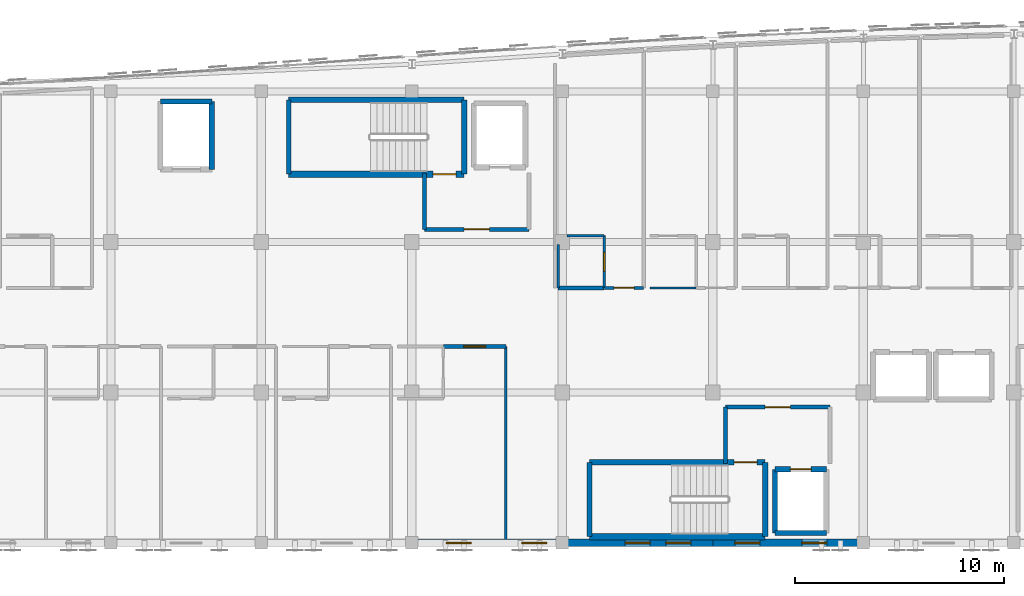
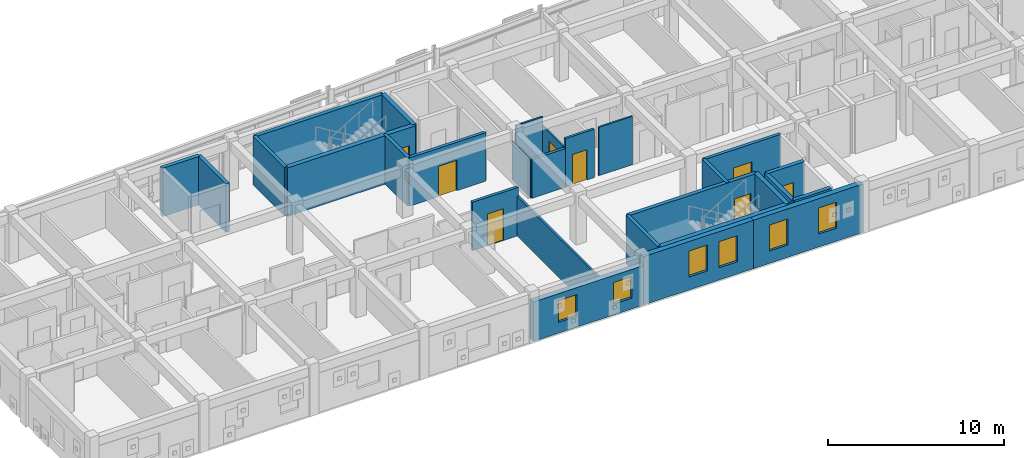
# One storey, part 37 of 48: 28 walls, 8 doors, 6 windows, 14 openings.
"""IFC4 building model written with IfcOpenShell, lengths in metres."""

from ifc_helpers import new_model, si_unit, direction, frame, frame_2d, origin, place, context, subcontext, project, spatial, rectangle, extrude, material, layer, layer_set, type_object, element, fill, save


model = new_model("IFC4")

# Units and contexts
model_context = context("Model", 3, precision=1e-05, world=origin(), true_north=direction((0.0, 1.0)))
body_context = subcontext(model_context, "Body", "Model", "MODEL_VIEW")
ifc_project = project(units=[si_unit("LENGTHUNIT", "METRE"), si_unit("AREAUNIT", "SQUARE_METRE"), si_unit("VOLUMEUNIT", "CUBIC_METRE"), si_unit("PLANEANGLEUNIT", "RADIAN"), si_unit("MASSUNIT", "GRAM", prefix="KILO")], contexts=[model_context])

# Site, building, storey
site_placement = place(None, origin())
site = spatial("IfcSite", under=ifc_project, at=site_placement, CompositionType="ELEMENT")
building_placement = place(site_placement, origin())
building = spatial("IfcBuilding", under=site, at=building_placement, Name="Carrowvane Square Congress Hotel", CompositionType="ELEMENT")
storey_placement = place(building_placement, frame((0.0, 0.0, 26.39990234375)))
storey = spatial("IfcBuildingStorey", under=building, at=storey_placement, Name="L06", CompositionType="ELEMENT", Elevation=26.39990234375)

# Wall, openings, windows
ifc_material_1 = material(Name="Glazed terracotta rainscreen", Category="masonry")
ifc_layer_1 = layer(ifc_material_1, 0.360107421875)
ifc_layer_set_1 = layer_set([ifc_layer_1], Name="Glazed terracotta rainscreen")
wall_type_1 = type_object("IfcWallType", Name="WL-EXT-TC360", PredefinedType="STANDARD", material=ifc_layer_set_1)
wall_1_placement = place(storey_placement, frame((83.60009765625, 91.800048828125, 0.0), z_axis=(0.0, 0.0, 1.0), x_axis=(-1.0, 0.0, 0.0)))
wall_1 = element("IfcWall", 1, at=wall_1_placement, inside=storey, type_object=wall_type_1, Name="L06 exterior facade wall 497", PredefinedType="STANDARD", context=body_context, shape_type="SweptSolid", body=[
    extrude(rectangle(XDim=7.2001953125, YDim=0.360107421875, at=frame_2d((3.60009765625, 0.0))), origin(), (0.0, 0.0, 1.0), 3.35009765625),
])
opening_1_placement = place(wall_1_placement, frame((1.75, 0.0, 0.89990234375)))
opening_1 = element("IfcOpeningElement", 2, at=opening_1_placement, cuts=wall_1, Name="Opening W-01", PredefinedType="OPENING", context=body_context, shape_type="SweptSolid", body=[
    extrude(rectangle(XDim=1.199951171875, YDim=1.800048828125, at=frame_2d((0.60009765625, 0.89990234375))), frame((0.0, 0.18994140625, 0.0), z_axis=(0.0, -1.0, 0.0), x_axis=(1.0, 0.0, 0.0)), (0.0, 0.0, 1.0), 0.380126953125),
])
opening_2_placement = place(wall_1_placement, frame((4.949951171875, 0.0, 0.85009765625)))
opening_2 = element("IfcOpeningElement", 3, at=opening_2_placement, cuts=wall_1, Name="Opening W-01", PredefinedType="OPENING", context=body_context, shape_type="SweptSolid", body=[
    extrude(rectangle(XDim=1.199951171875, YDim=1.800048828125, at=frame_2d((0.60009765625, 0.89990234375))), frame((0.0, 0.18994140625, 0.0), z_axis=(0.0, -1.0, 0.0), x_axis=(1.0, 0.0, 0.0)), (0.0, 0.0, 1.0), 0.380126953125),
])
ifc_material_2 = material(Name="Double-glazed low-E glass", Category="glass")
window_type = type_object("IfcWindowType", Name="WIN-01", PartitioningType="SINGLE_PANEL", PredefinedType="WINDOW", material=ifc_material_2)
window_1_placement = place(opening_1_placement, origin())
window_1 = element("IfcWindow", 4, at=window_1_placement, inside=storey, type_object=window_type, Name="L06 facade window 330", OverallHeight=1.800048828125, OverallWidth=1.199951171875, PartitioningType="SINGLE_PANEL", PredefinedType="WINDOW", context=body_context, shape_type="SweptSolid", body=[
    extrude(rectangle(XDim=1.199951171875, YDim=1.800048828125, at=frame_2d((0.60009765625, 0.89990234375))), frame((0.0, 0.030029296875, 0.0), z_axis=(0.0, -1.0, 0.0), x_axis=(1.0, 0.0, 0.0)), (0.0, 0.0, 1.0), 0.06005859375),
])
fill(opening_1, window_1)
window_2_placement = place(opening_2_placement, origin())
window_2 = element("IfcWindow", 5, at=window_2_placement, inside=storey, type_object=window_type, Name="L06 guest bedroom window 331", OverallHeight=1.800048828125, OverallWidth=1.199951171875, PartitioningType="SINGLE_PANEL", PredefinedType="WINDOW", context=body_context, shape_type="SweptSolid", body=[
    extrude(rectangle(XDim=1.199951171875, YDim=1.800048828125, at=frame_2d((0.60009765625, 0.89990234375))), frame((0.0, 0.030029296875, 0.0), z_axis=(0.0, -1.0, 0.0), x_axis=(1.0, 0.0, 0.0)), (0.0, 0.0, 1.0), 0.06005859375),
])
fill(opening_2, window_2)

wall_2_placement = place(storey_placement, frame((76.39990234375, 91.800048828125, 0.0), z_axis=(0.0, 0.0, 1.0), x_axis=(-1.0, 0.0, 0.0)))
wall_2 = element("IfcWall", 6, at=wall_2_placement, inside=storey, type_object=wall_type_1, Name="L06 exterior facade wall 498", PredefinedType="STANDARD", context=body_context, shape_type="SweptSolid", body=[
    extrude(rectangle(XDim=7.199951171875, YDim=0.360107421875, at=frame_2d((3.60009765625, 0.0))), origin(), (0.0, 0.0, 1.0), 3.35009765625),
])
opening_3_placement = place(wall_2_placement, frame((3.0, 0.0, 0.89990234375)))
opening_3 = element("IfcOpeningElement", 7, at=opening_3_placement, cuts=wall_2, Name="Opening W-01", PredefinedType="OPENING", context=body_context, shape_type="SweptSolid", body=[
    extrude(rectangle(XDim=1.199951171875, YDim=1.800048828125, at=frame_2d((0.60009765625, 0.89990234375))), frame((0.0, 0.18994140625, 0.0), z_axis=(0.0, -1.0, 0.0), x_axis=(1.0, 0.0, 0.0)), (0.0, 0.0, 1.0), 0.380126953125),
])
opening_4_placement = place(wall_2_placement, frame((1.050048828125, 0.0, 0.85009765625)))
opening_4 = element("IfcOpeningElement", 8, at=opening_4_placement, cuts=wall_2, Name="Opening W-01", PredefinedType="OPENING", context=body_context, shape_type="SweptSolid", body=[
    extrude(rectangle(XDim=1.199951171875, YDim=1.800048828125, at=frame_2d((0.60009765625, 0.89990234375))), frame((0.0, 0.18994140625, 0.0), z_axis=(0.0, -1.0, 0.0), x_axis=(1.0, 0.0, 0.0)), (0.0, 0.0, 1.0), 0.380126953125),
])
window_3_placement = place(opening_3_placement, origin())
window_3 = element("IfcWindow", 9, at=window_3_placement, inside=storey, type_object=window_type, Name="L06 facade window 332", OverallHeight=1.800048828125, OverallWidth=1.199951171875, PartitioningType="SINGLE_PANEL", PredefinedType="WINDOW", context=body_context, shape_type="SweptSolid", body=[
    extrude(rectangle(XDim=1.199951171875, YDim=1.800048828125, at=frame_2d((0.60009765625, 0.89990234375))), frame((0.0, 0.030029296875, 0.0), z_axis=(0.0, -1.0, 0.0), x_axis=(1.0, 0.0, 0.0)), (0.0, 0.0, 1.0), 0.06005859375),
])
fill(opening_3, window_3)
window_4_placement = place(opening_4_placement, origin())
window_4 = element("IfcWindow", 10, at=window_4_placement, inside=storey, type_object=window_type, Name="L06 guest bedroom window 333", OverallHeight=1.800048828125, OverallWidth=1.199951171875, PartitioningType="SINGLE_PANEL", PredefinedType="WINDOW", context=body_context, shape_type="SweptSolid", body=[
    extrude(rectangle(XDim=1.199951171875, YDim=1.800048828125, at=frame_2d((0.60009765625, 0.89990234375))), frame((0.0, 0.030029296875, 0.0), z_axis=(0.0, -1.0, 0.0), x_axis=(1.0, 0.0, 0.0)), (0.0, 0.0, 1.0), 0.06005859375),
])
fill(opening_4, window_4)

wall_3_placement = place(storey_placement, frame((69.199951171875, 91.800048828125, 0.0), z_axis=(0.0, 0.0, 1.0), x_axis=(-1.0, 0.0, 0.0)))
wall_3 = element("IfcWall", 11, at=wall_3_placement, inside=storey, type_object=wall_type_1, Name="L06 exterior facade wall 499", PredefinedType="STANDARD", context=body_context, shape_type="SweptSolid", body=[
    extrude(rectangle(XDim=7.199951171875, YDim=0.360107421875, at=frame_2d((3.60009765625, 0.0))), origin(), (0.0, 0.0, 1.0), 2.735107421875),
])
opening_5_placement = place(wall_3_placement, frame((0.7548828125, 0.0, 0.75)))
opening_5 = element("IfcOpeningElement", 12, at=opening_5_placement, cuts=wall_3, Name="Opening W-01", PredefinedType="OPENING", context=body_context, shape_type="SweptSolid", body=[
    extrude(rectangle(XDim=1.199951171875, YDim=1.5, at=frame_2d((0.60009765625, 0.75))), frame((0.0, 0.18994140625, 0.0), z_axis=(0.0, -1.0, 0.0), x_axis=(1.0, 0.0, 0.0)), (0.0, 0.0, 1.0), 0.380126953125),
])
opening_6_placement = place(wall_3_placement, frame((4.35498046875, 0.0, 0.75)))
opening_6 = element("IfcOpeningElement", 13, at=opening_6_placement, cuts=wall_3, Name="Opening W-01", PredefinedType="OPENING", context=body_context, shape_type="SweptSolid", body=[
    extrude(rectangle(XDim=1.199951171875, YDim=1.5, at=frame_2d((0.60009765625, 0.75))), frame((0.0, 0.18994140625, 0.0), z_axis=(0.0, -1.0, 0.0), x_axis=(1.0, 0.0, 0.0)), (0.0, 0.0, 1.0), 0.380126953125),
])
window_5_placement = place(opening_5_placement, origin())
window_5 = element("IfcWindow", 14, at=window_5_placement, inside=storey, type_object=window_type, Name="L06 facade window 335", OverallHeight=1.5, OverallWidth=1.199951171875, PartitioningType="SINGLE_PANEL", PredefinedType="WINDOW", context=body_context, shape_type="SweptSolid", body=[
    extrude(rectangle(XDim=1.199951171875, YDim=1.5, at=frame_2d((0.60009765625, 0.75))), frame((0.0, 0.030029296875, 0.0), z_axis=(0.0, -1.0, 0.0), x_axis=(1.0, 0.0, 0.0)), (0.0, 0.0, 1.0), 0.06005859375),
])
fill(opening_5, window_5)
window_6_placement = place(opening_6_placement, origin())
window_6 = element("IfcWindow", 15, at=window_6_placement, inside=storey, type_object=window_type, Name="L06 split-bay facade window WIN-L06-0335-1", OverallHeight=1.5, OverallWidth=1.199951171875, PartitioningType="SINGLE_PANEL", PredefinedType="WINDOW", context=body_context, shape_type="SweptSolid", body=[
    extrude(rectangle(XDim=1.199951171875, YDim=1.5, at=frame_2d((0.60009765625, 0.75))), frame((0.0, 0.030029296875, 0.0), z_axis=(0.0, -1.0, 0.0), x_axis=(1.0, 0.0, 0.0)), (0.0, 0.0, 1.0), 0.06005859375),
])
fill(opening_6, window_6)

# Wall, opening, door
ifc_material_3 = material(Name="Acoustic gypsum board", Category="gypsum")
ifc_layer_2 = layer(ifc_material_3, 0.155029296875)
ifc_layer_set_2 = layer_set([ifc_layer_2], Name="Acoustic gypsum board")
wall_type_2 = type_object("IfcWallType", Name="WL-FIR-155", PredefinedType="PARTITIONING", material=ifc_layer_set_2)
wall_4_placement = place(storey_placement, frame((73.090087890625, 104.0, 0.0), z_axis=(0.0, 0.0, 1.0), x_axis=(-1.0, 0.0, 0.0)))
wall_4 = element("IfcWall", 16, at=wall_4_placement, inside=storey, type_object=wall_type_2, Name="L06 Parkview Guest Bedroom 0612 partition", PredefinedType="PARTITIONING", context=body_context, shape_type="SweptSolid", body=[
    extrude(rectangle(XDim=1.880126953125, YDim=0.155029296875, at=frame_2d((0.93994140625, 0.0))), origin(), (0.0, 0.0, 1.0), 3.35009765625),
])
opening_7_placement = place(wall_4_placement, frame((0.465087890625, 0.0, 0.0)))
opening_7 = element("IfcOpeningElement", 17, at=opening_7_placement, cuts=wall_4, Name="Opening FD-06", PredefinedType="OPENING", context=body_context, shape_type="SweptSolid", body=[
    extrude(rectangle(XDim=0.949951171875, YDim=2.10009765625, at=frame_2d((0.47509765625, 1.050048828125))), frame((0.0, 0.08740234375, 0.0), z_axis=(0.0, -1.0, 0.0), x_axis=(1.0, 0.0, 0.0)), (0.0, 0.0, 1.0), 0.175048828125),
])
ifc_material_4 = material(Name="European oak timber", Category="wood")
door_type_1 = type_object("IfcDoorType", Name="DR-FD30-0950x2100", OperationType="NOTDEFINED", PredefinedType="DOOR", material=ifc_material_4)
door_1_placement = place(opening_7_placement, origin())
door_1 = element("IfcDoor", 18, at=door_1_placement, inside=storey, type_object=door_type_1, Name="L06 Parkview Guest Bedroom 0612 entrance door", OperationType="SINGLE_SWING_LEFT", OverallHeight=2.10009765625, OverallWidth=0.949951171875, PredefinedType="DOOR", context=body_context, shape_type="SweptSolid", body=[
    extrude(rectangle(XDim=0.949951171875, YDim=2.10009765625, at=frame_2d((0.47509765625, 1.050048828125))), frame((0.0, 0.02490234375, 0.0), z_axis=(0.0, -1.0, 0.0), x_axis=(1.0, 0.0, 0.0)), (0.0, 0.0, 1.0), 0.050048828125),
])
fill(opening_7, door_1)

ifc_material_5 = material(Name="Acoustic gypsum board", Category="gypsum")
ifc_layer_3 = layer(ifc_material_5, 0.18505859375)
ifc_layer_set_3 = layer_set([ifc_layer_3], Name="Acoustic gypsum board")
wall_type_3 = type_object("IfcWallType", Name="WL-FIR-185", PredefinedType="PARTITIONING", material=ifc_layer_set_3)
wall_5_placement = place(storey_placement, frame((63.510009765625, 101.199951171875, 0.0), z_axis=(0.0, 0.0, 1.0), x_axis=(1.0, 0.0, 0.0)))
wall_5 = element("IfcWall", 19, at=wall_5_placement, inside=storey, type_object=wall_type_3, Name="L06 Hotel Suite 0606 partition", PredefinedType="PARTITIONING", context=body_context, shape_type="SweptSolid", body=[
    extrude(rectangle(XDim=2.97998046875, YDim=0.18505859375, at=frame_2d((1.489990234375, 0.0))), origin(), (0.0, 0.0, 1.0), 3.35009765625),
])
opening_8_placement = place(wall_5_placement, frame((0.9599609375, 0.0, 0.0)))
opening_8 = element("IfcOpeningElement", 20, at=opening_8_placement, cuts=wall_5, Name="Opening FD-09", PredefinedType="OPENING", context=body_context, shape_type="SweptSolid", body=[
    extrude(rectangle(XDim=1.06005859375, YDim=2.199951171875, at=frame_2d((0.530029296875, 1.10009765625))), frame((0.0, 0.1025390625, 0.0), z_axis=(0.0, -1.0, 0.0), x_axis=(1.0, 0.0, 0.0)), (0.0, 0.0, 1.0), 0.205078125),
])
ifc_material_6 = material(Name="European oak timber", Category="wood")
door_type_2 = type_object("IfcDoorType", Name="DR-FD30-1060x2200", OperationType="NOTDEFINED", PredefinedType="DOOR", material=ifc_material_6)
door_2_placement = place(opening_8_placement, origin())
door_2 = element("IfcDoor", 21, at=door_2_placement, inside=storey, type_object=door_type_2, Name="L06 Hotel Suite 0606 entrance door", OperationType="SINGLE_SWING_LEFT", OverallHeight=2.199951171875, OverallWidth=1.06005859375, PredefinedType="DOOR", context=body_context, shape_type="SweptSolid", body=[
    extrude(rectangle(XDim=1.06005859375, YDim=2.199951171875, at=frame_2d((0.530029296875, 1.10009765625))), frame((0.0, 0.02490234375, 0.0), z_axis=(0.0, -1.0, 0.0), x_axis=(1.0, 0.0, 0.0)), (0.0, 0.0, 1.0), 0.050048828125),
])
fill(opening_8, door_2)

# Wall
wall_6_placement = place(storey_placement, frame((71.199951171875, 104.0, 0.0), z_axis=(0.0, 0.0, 1.0), x_axis=(-1.0, 0.0, 0.0)))
element("IfcWall", 22, at=wall_6_placement, inside=storey, type_object=wall_type_3, Name="L06 En-suite Bathroom 0612 partition", PredefinedType="PARTITIONING", context=body_context, shape_type="SweptSolid", body=[
    extrude(rectangle(XDim=2.199951171875, YDim=0.18505859375, at=frame_2d((1.10009765625, 0.0))), origin(), (0.0, 0.0, 1.0), 2.68505859375),
])

# Wall, opening, door
ifc_material_7 = material(Name="Acoustic gypsum board", Category="gypsum")
ifc_layer_4 = layer(ifc_material_7, 0.205078125)
ifc_layer_set_4 = layer_set([ifc_layer_4], Name="Acoustic gypsum board")
wall_type_4 = type_object("IfcWallType", Name="WL-FIR-205", PredefinedType="PARTITIONING", material=ifc_layer_set_4)
wall_7_placement = place(storey_placement, frame((62.60009765625, 106.800048828125, 0.0), z_axis=(0.0, 0.0, 1.0), x_axis=(1.0, 0.0, 0.0)))
wall_7 = element("IfcWall", 23, at=wall_7_placement, inside=storey, type_object=wall_type_4, Name="L06 Firefighting Lobby C1 wall south", PredefinedType="PARTITIONING", context=body_context, shape_type="SweptSolid", body=[
    extrude(rectangle(XDim=5.0, YDim=0.205078125, at=frame_2d((2.5, 0.0))), origin(), (0.0, 0.0, 1.0), 3.35009765625),
])
opening_9_placement = place(wall_7_placement, frame((1.89990234375, 0.0, 0.0)))
opening_9 = element("IfcOpeningElement", 24, at=opening_9_placement, cuts=wall_7, Name="Opening FD-02", PredefinedType="OPENING", context=body_context, shape_type="SweptSolid", body=[
    extrude(rectangle(XDim=1.199951171875, YDim=2.10009765625, at=frame_2d((0.60009765625, 1.050048828125))), frame((0.0, 0.112548828125, 0.0), z_axis=(0.0, -1.0, 0.0), x_axis=(1.0, 0.0, 0.0)), (0.0, 0.0, 1.0), 0.22509765625),
])
ifc_material_8 = material(Name="European oak timber", Category="wood")
door_type_3 = type_object("IfcDoorType", Name="DR-FD60-1200x2100", OperationType="NOTDEFINED", PredefinedType="DOOR", material=ifc_material_8)
door_3_placement = place(opening_9_placement, origin())
door_3 = element("IfcDoor", 25, at=door_3_placement, inside=storey, type_object=door_type_3, Name="L06 Firefighting Lobby C1 entrance door", OperationType="SINGLE_SWING_LEFT", OverallHeight=2.10009765625, OverallWidth=1.199951171875, PredefinedType="DOOR", context=body_context, shape_type="SweptSolid", body=[
    extrude(rectangle(XDim=1.199951171875, YDim=2.10009765625, at=frame_2d((0.60009765625, 1.050048828125))), frame((0.0, 0.02490234375, 0.0), z_axis=(0.0, -1.0, 0.0), x_axis=(1.0, 0.0, 0.0)), (0.0, 0.0, 1.0), 0.050048828125),
])
fill(opening_9, door_3)

# Wall
wall_8_placement = place(storey_placement, frame((62.60009765625, 109.5, 0.0), z_axis=(0.0, 0.0, 1.0), x_axis=(0.0, -1.0, 0.0)))
element("IfcWall", 26, at=wall_8_placement, inside=storey, type_object=wall_type_4, Name="L06 Firefighting Lobby C1 wall west", PredefinedType="PARTITIONING", context=body_context, shape_type="SweptSolid", body=[
    extrude(rectangle(XDim=2.699951171875, YDim=0.205078125, at=frame_2d((1.35009765625, 0.0))), origin(), (0.0, 0.0, 1.0), 3.35009765625),
])

# Wall, opening, door
wall_9_placement = place(storey_placement, frame((82.0, 98.300048828125, 0.0), z_axis=(0.0, 0.0, 1.0), x_axis=(-1.0, 0.0, 0.0)))
wall_9 = element("IfcWall", 27, at=wall_9_placement, inside=storey, type_object=wall_type_4, Name="L06 Firefighting Lobby C2 wall north", PredefinedType="PARTITIONING", context=body_context, shape_type="SweptSolid", body=[
    extrude(rectangle(XDim=5.0, YDim=0.205078125, at=frame_2d((2.5, 0.0))), origin(), (0.0, 0.0, 1.0), 3.35009765625),
])
opening_10_placement = place(wall_9_placement, frame((1.89990234375, 0.0, 0.0)))
opening_10 = element("IfcOpeningElement", 28, at=opening_10_placement, cuts=wall_9, Name="Opening FD-02", PredefinedType="OPENING", context=body_context, shape_type="SweptSolid", body=[
    extrude(rectangle(XDim=1.199951171875, YDim=2.10009765625, at=frame_2d((0.60009765625, 1.050048828125))), frame((0.0, 0.112548828125, 0.0), z_axis=(0.0, -1.0, 0.0), x_axis=(1.0, 0.0, 0.0)), (0.0, 0.0, 1.0), 0.22509765625),
])
door_4_placement = place(opening_10_placement, origin())
door_4 = element("IfcDoor", 29, at=door_4_placement, inside=storey, type_object=door_type_3, Name="L06 Firefighting Lobby C2 entrance door", OperationType="SINGLE_SWING_RIGHT", OverallHeight=2.10009765625, OverallWidth=1.199951171875, PredefinedType="DOOR", context=body_context, shape_type="SweptSolid", body=[
    extrude(rectangle(XDim=1.199951171875, YDim=2.10009765625, at=frame_2d((0.60009765625, 1.050048828125))), frame((0.0, 0.02490234375, 0.0), z_axis=(0.0, -1.0, 0.0), x_axis=(1.0, 0.0, 0.0)), (0.0, 0.0, 1.0), 0.050048828125),
])
fill(opening_10, door_4)

# Wall
wall_10_placement = place(storey_placement, frame((77.0, 98.300048828125, 0.0), z_axis=(0.0, 0.0, 1.0), x_axis=(0.0, -1.0, 0.0)))
element("IfcWall", 30, at=wall_10_placement, inside=storey, type_object=wall_type_4, Name="L06 Firefighting Lobby C2 wall west", PredefinedType="PARTITIONING", context=body_context, shape_type="SweptSolid", body=[
    extrude(rectangle(XDim=2.699951171875, YDim=0.205078125, at=frame_2d((1.35009765625, 0.0))), origin(), (0.0, 0.0, 1.0), 3.35009765625),
])

# Wall, opening, door
ifc_material_9 = material(Name="Acoustic gypsum board", Category="gypsum")
ifc_layer_5 = layer(ifc_material_9, 0.097900390625)
ifc_layer_set_5 = layer_set([ifc_layer_5], Name="Acoustic gypsum board")
wall_type_5 = type_object("IfcWallType", Name="WL-PRT-098", PredefinedType="PARTITIONING", material=ifc_layer_set_5)
wall_11_placement = place(storey_placement, frame((71.199951171875, 106.5, 0.0), z_axis=(0.0, 0.0, 1.0), x_axis=(0.0, -1.0, 0.0)))
wall_11 = element("IfcWall", 31, at=wall_11_placement, inside=storey, type_object=wall_type_5, Name="L06 En-suite Bathroom 0612 partition", PredefinedType="PARTITIONING", context=body_context, shape_type="SweptSolid", body=[
    extrude(rectangle(XDim=2.5, YDim=0.097900390625, at=frame_2d((1.25, 0.0))), origin(), (0.0, 0.0, 1.0), 2.735107421875),
])
opening_11_placement = place(wall_11_placement, frame((0.794921875, 0.0, 0.0)))
opening_11 = element("IfcOpeningElement", 32, at=opening_11_placement, cuts=wall_11, Name="Opening ID-17", PredefinedType="OPENING", context=body_context, shape_type="SweptSolid", body=[
    extrude(rectangle(XDim=0.909912109375, YDim=2.110107421875, at=frame_2d((0.455078125, 1.05517578125))), frame((0.0, 0.058837890625, 0.0), z_axis=(0.0, -1.0, 0.0), x_axis=(1.0, 0.0, 0.0)), (0.0, 0.0, 1.0), 0.117919921875),
])
ifc_material_10 = material(Name="European oak timber", Category="wood")
door_type_4 = type_object("IfcDoorType", Name="DR-INT-0910x2110", OperationType="NOTDEFINED", PredefinedType="DOOR", material=ifc_material_10)
door_5_placement = place(opening_11_placement, origin())
door_5 = element("IfcDoor", 33, at=door_5_placement, inside=storey, type_object=door_type_4, Name="L06 En-suite Bathroom 0612 door", OperationType="SINGLE_SWING_RIGHT", OverallHeight=2.110107421875, OverallWidth=0.909912109375, PredefinedType="DOOR", context=body_context, shape_type="SweptSolid", body=[
    extrude(rectangle(XDim=0.909912109375, YDim=2.110107421875, at=frame_2d((0.455078125, 1.05517578125))), frame((0.0, 0.02490234375, 0.0), z_axis=(0.0, -1.0, 0.0), x_axis=(1.0, 0.0, 0.0)), (0.0, 0.0, 1.0), 0.050048828125),
])
fill(opening_11, door_5)

# Walls
ifc_material_11 = material(Name="Acoustic gypsum board", Category="gypsum")
ifc_layer_6 = layer(ifc_material_11, 0.10791015625)
ifc_layer_set_6 = layer_set([ifc_layer_6], Name="Acoustic gypsum board")
wall_type_6 = type_object("IfcWallType", Name="WL-PRT-108", PredefinedType="PARTITIONING", material=ifc_layer_set_6)
wall_12_placement = place(storey_placement, frame((69.409912109375, 106.5, 0.0), z_axis=(0.0, 0.0, 1.0), x_axis=(1.0, 0.0, 0.0)))
element("IfcWall", 34, at=wall_12_placement, inside=storey, type_object=wall_type_6, Name="L06 En-suite Bathroom 0612 partition", PredefinedType="PARTITIONING", context=body_context, shape_type="SweptSolid", body=[
    extrude(rectangle(XDim=1.7900390625, YDim=0.10791015625, at=frame_2d((0.89501953125, 0.0))), origin(), (0.0, 0.0, 1.0), 3.35009765625),
])
wall_13_placement = place(storey_placement, frame((75.60009765625, 104.0, 0.0), z_axis=(0.0, 0.0, 1.0), x_axis=(-1.0, 0.0, 0.0)))
element("IfcWall", 35, at=wall_13_placement, inside=storey, type_object=wall_type_6, Name="L06 En-suite Bathroom 0613 partition", PredefinedType="PARTITIONING", context=body_context, shape_type="SweptSolid", body=[
    extrude(rectangle(XDim=2.2001953125, YDim=0.10791015625, at=frame_2d((1.10009765625, 0.0))), origin(), (0.0, 0.0, 1.0), 3.35009765625),
])
ifc_material_12 = material(Name="Acoustic gypsum board", Category="gypsum")
ifc_layer_7 = layer(ifc_material_12, 0.117919921875)
ifc_layer_set_7 = layer_set([ifc_layer_7], Name="Acoustic gypsum board")
wall_type_7 = type_object("IfcWallType", Name="WL-PRT-118", PredefinedType="PARTITIONING", material=ifc_layer_set_7)
wall_14_placement = place(storey_placement, frame((69.0, 104.0, 0.0), z_axis=(0.0, 0.0, 1.0), x_axis=(0.0, 1.0, 0.0)))
element("IfcWall", 36, at=wall_14_placement, inside=storey, type_object=wall_type_7, Name="L06 En-suite Bathroom 0612 partition", PredefinedType="PARTITIONING", context=body_context, shape_type="SweptSolid", body=[
    extrude(rectangle(XDim=2.090087890625, YDim=0.117919921875, at=frame_2d((1.044921875, 0.0))), origin(), (0.0, 0.0, 1.0), 2.68505859375),
])
ifc_material_13 = material(Name="Acoustic gypsum board", Category="gypsum")
ifc_layer_8 = layer(ifc_material_13, 0.137939453125)
ifc_layer_set_8 = layer_set([ifc_layer_8], Name="Acoustic gypsum board")
wall_type_8 = type_object("IfcWallType", Name="WL-PRT-138", PredefinedType="PARTITIONING", material=ifc_layer_set_8)
wall_15_placement = place(storey_placement, frame((66.489990234375, 101.199951171875, 0.0), z_axis=(0.0, 0.0, 1.0), x_axis=(0.0, -1.0, 0.0)))
element("IfcWall", 37, at=wall_15_placement, inside=storey, type_object=wall_type_8, Name="L06 Hotel Suite 0606 partition", PredefinedType="PARTITIONING", context=body_context, shape_type="SweptSolid", body=[
    extrude(rectangle(XDim=9.239990234375, YDim=0.137939453125, at=frame_2d((4.6201171875, 0.0))), origin(), (0.0, 0.0, 1.0), 2.735107421875),
])
ifc_material_14 = material(Name="Concrete C40/50", Category="concrete")
ifc_layer_9 = layer(ifc_material_14, 0.22509765625)
ifc_layer_set_9 = layer_set([ifc_layer_9], Name="Concrete C40/50")
wall_type_9 = type_object("IfcWallType", Name="WL-SHR-225", PredefinedType="SHEAR", material=ifc_layer_set_9)
wall_16_placement = place(storey_placement, frame((56.10009765625, 113.0, 0.0), z_axis=(0.0, 0.0, 1.0), x_axis=(0.0, -1.0, 0.0)))
element("IfcWall", 38, at=wall_16_placement, inside=storey, type_object=wall_type_9, Name="L06 ST1 core wall west", PredefinedType="SHEAR", context=body_context, shape_type="SweptSolid", body=[
    extrude(rectangle(XDim=3.56005859375, YDim=0.22509765625, at=frame_2d((1.780029296875, 0.0))), origin(), (0.0, 0.0, 1.0), 3.35009765625),
])
wall_17_placement = place(storey_placement, frame((70.5, 95.659912109375, 0.0), z_axis=(0.0, 0.0, 1.0), x_axis=(0.0, -1.0, 0.0)))
element("IfcWall", 39, at=wall_17_placement, inside=storey, type_object=wall_type_9, Name="L06 ST2 core wall west", PredefinedType="SHEAR", context=body_context, shape_type="SweptSolid", body=[
    extrude(rectangle(XDim=3.559814453125, YDim=0.22509765625, at=frame_2d((1.77978515625, 0.0))), origin(), (0.0, 0.0, 1.0), 3.35009765625),
])
ifc_material_15 = material(Name="Concrete C40/50", Category="concrete")
ifc_layer_10 = layer(ifc_material_15, 0.25)
ifc_layer_set_10 = layer_set([ifc_layer_10], Name="Concrete C40/50")
wall_type_10 = type_object("IfcWallType", Name="WL-SHR-250", PredefinedType="SHEAR", material=ifc_layer_set_10)
wall_18_placement = place(storey_placement, frame((64.5, 113.0, 0.0), z_axis=(0.0, 0.0, 1.0), x_axis=(-1.0, 0.0, 0.0)))
element("IfcWall", 40, at=wall_18_placement, inside=storey, type_object=wall_type_10, Name="L06 ST1 core wall north", PredefinedType="SHEAR", context=body_context, shape_type="SweptSolid", body=[
    extrude(rectangle(XDim=8.39990234375, YDim=0.25, at=frame_2d((4.199951171875, 0.0))), origin(), (0.0, 0.0, 1.0), 3.35009765625),
])

# Wall, opening, door
wall_19_placement = place(storey_placement, frame((78.89990234375, 95.659912109375, 0.0), z_axis=(0.0, 0.0, 1.0), x_axis=(-1.0, 0.0, 0.0)))
wall_19 = element("IfcWall", 41, at=wall_19_placement, inside=storey, type_object=wall_type_10, Name="L06 ST2 core wall north", PredefinedType="SHEAR", context=body_context, shape_type="SweptSolid", body=[
    extrude(rectangle(XDim=8.39990234375, YDim=0.25, at=frame_2d((4.199951171875, 0.0))), origin(), (0.0, 0.0, 1.0), 3.35009765625),
])
opening_12_placement = place(wall_19_placement, frame((0.389892578125, 0.0, 0.0)))
opening_12 = element("IfcOpeningElement", 42, at=opening_12_placement, cuts=wall_19, Name="Opening FD-01", PredefinedType="OPENING", context=body_context, shape_type="SweptSolid", body=[
    extrude(rectangle(XDim=1.10009765625, YDim=2.10009765625, at=frame_2d((0.550048828125, 1.050048828125))), frame((0.0, 0.135009765625, 0.0), z_axis=(0.0, -1.0, 0.0), x_axis=(1.0, 0.0, 0.0)), (0.0, 0.0, 1.0), 0.27001953125),
])
ifc_material_16 = material(Name="European oak timber", Category="wood")
door_type_5 = type_object("IfcDoorType", Name="DR-FD60-1100x2100", OperationType="NOTDEFINED", PredefinedType="DOOR", material=ifc_material_16)
door_6_placement = place(opening_12_placement, origin())
door_6 = element("IfcDoor", 43, at=door_6_placement, inside=storey, type_object=door_type_5, Name="L06 ST2 fire door", OperationType="SINGLE_SWING_LEFT", OverallHeight=2.10009765625, OverallWidth=1.10009765625, PredefinedType="DOOR", context=body_context, shape_type="SweptSolid", body=[
    extrude(rectangle(XDim=1.10009765625, YDim=2.10009765625, at=frame_2d((0.550048828125, 1.050048828125))), frame((0.0, 0.02490234375, 0.0), z_axis=(0.0, -1.0, 0.0), x_axis=(1.0, 0.0, 0.0)), (0.0, 0.0, 1.0), 0.050048828125),
])
fill(opening_12, door_6)

# Wall
wall_20_placement = place(storey_placement, frame((79.375, 92.27490234375, 0.0), z_axis=(0.0, 0.0, 1.0), x_axis=(1.0, 0.0, 0.0)))
element("IfcWall", 44, at=wall_20_placement, inside=storey, type_object=wall_type_10, Name="L06 FFL-2 shaft wall south", PredefinedType="SHEAR", context=body_context, shape_type="SweptSolid", body=[
    extrude(rectangle(XDim=2.449951171875, YDim=0.25, at=frame_2d((1.22509765625, 0.0))), origin(), (0.0, 0.0, 1.0), 3.35009765625),
])

# Wall, opening, door
wall_21_placement = place(storey_placement, frame((81.824951171875, 95.324951171875, 0.0), z_axis=(0.0, 0.0, 1.0), x_axis=(-1.0, 0.0, 0.0)))
wall_21 = element("IfcWall", 45, at=wall_21_placement, inside=storey, type_object=wall_type_10, Name="L06 FFL-2 shaft wall north", PredefinedType="SHEAR", context=body_context, shape_type="SweptSolid", body=[
    extrude(rectangle(XDim=2.449951171875, YDim=0.25, at=frame_2d((1.22509765625, 0.0))), origin(), (0.0, 0.0, 1.0), 3.35009765625),
])
opening_13_placement = place(wall_21_placement, frame((0.72509765625, 0.0, 0.0)))
opening_13 = element("IfcOpeningElement", 46, at=opening_13_placement, cuts=wall_21, Name="Opening LD-FFL-2", PredefinedType="OPENING", context=body_context, shape_type="SweptSolid", body=[
    extrude(rectangle(XDim=1.0, YDim=2.14990234375, at=frame_2d((0.5, 1.074951171875))), frame((0.0, 0.135009765625, 0.0), z_axis=(0.0, -1.0, 0.0), x_axis=(1.0, 0.0, 0.0)), (0.0, 0.0, 1.0), 0.27001953125),
])
ifc_material_17 = material(Name="Stainless steel 316", Category="steel")
door_type_6 = type_object("IfcDoorType", Name="DR-LD-1000x2150", OperationType="DOUBLE_DOOR_SLIDING", PredefinedType="DOOR", material=ifc_material_17)
door_7_placement = place(opening_13_placement, origin())
door_7 = element("IfcDoor", 47, at=door_7_placement, inside=storey, type_object=door_type_6, Name="L06 FFL-2 sliding lift landing door", OperationType="DOUBLE_DOOR_SLIDING", OverallHeight=2.14990234375, OverallWidth=1.0, PredefinedType="DOOR", context=body_context, shape_type="SweptSolid", body=[
    extrude(rectangle(XDim=1.0, YDim=2.14990234375, at=frame_2d((0.5, 1.074951171875))), frame((0.0, 0.02490234375, 0.0), z_axis=(0.0, -1.0, 0.0), x_axis=(1.0, 0.0, 0.0)), (0.0, 0.0, 1.0), 0.050048828125),
])
fill(opening_13, door_7)

# Walls
wall_22_placement = place(storey_placement, frame((79.375, 95.324951171875, 0.0), z_axis=(0.0, 0.0, 1.0), x_axis=(0.0, -1.0, 0.0)))
element("IfcWall", 48, at=wall_22_placement, inside=storey, type_object=wall_type_10, Name="L06 FFL-2 shaft wall west", PredefinedType="SHEAR", context=body_context, shape_type="SweptSolid", body=[
    extrude(rectangle(XDim=3.050048828125, YDim=0.25, at=frame_2d((1.52490234375, 0.0))), origin(), (0.0, 0.0, 1.0), 3.35009765625),
])
wall_23_placement = place(storey_placement, frame((52.425048828125, 109.675048828125, 0.0), z_axis=(0.0, 0.0, 1.0), x_axis=(0.0, 1.0, 0.0)))
element("IfcWall", 49, at=wall_23_placement, inside=storey, type_object=wall_type_10, Name="L06 SL-1 shaft wall east", PredefinedType="SHEAR", context=body_context, shape_type="SweptSolid", body=[
    extrude(rectangle(XDim=3.25, YDim=0.25, at=frame_2d((1.625, 0.0))), origin(), (0.0, 0.0, 1.0), 3.35009765625),
])
wall_24_placement = place(storey_placement, frame((52.425048828125, 112.925048828125, 0.0), z_axis=(0.0, 0.0, 1.0), x_axis=(-1.0, 0.0, 0.0)))
element("IfcWall", 50, at=wall_24_placement, inside=storey, type_object=wall_type_10, Name="L06 SL-1 shaft wall north", PredefinedType="SHEAR", context=body_context, shape_type="SweptSolid", body=[
    extrude(rectangle(XDim=2.449951171875, YDim=0.25, at=frame_2d((1.22509765625, 0.0))), origin(), (0.0, 0.0, 1.0), 3.35009765625),
])
ifc_material_18 = material(Name="Concrete C40/50", Category="concrete")
ifc_layer_11 = layer(ifc_material_18, 0.27490234375)
ifc_layer_set_11 = layer_set([ifc_layer_11], Name="Concrete C40/50")
wall_type_11 = type_object("IfcWallType", Name="WL-SHR-275", PredefinedType="SHEAR", material=ifc_layer_set_11)
wall_25_placement = place(storey_placement, frame((64.5, 109.43994140625, 0.0), z_axis=(0.0, 0.0, 1.0), x_axis=(0.0, 1.0, 0.0)))
element("IfcWall", 51, at=wall_25_placement, inside=storey, type_object=wall_type_11, Name="L06 ST1 core wall east", PredefinedType="SHEAR", context=body_context, shape_type="SweptSolid", body=[
    extrude(rectangle(XDim=3.56005859375, YDim=0.27490234375, at=frame_2d((1.780029296875, 0.0))), origin(), (0.0, 0.0, 1.0), 3.35009765625),
])
wall_26_placement = place(storey_placement, frame((78.89990234375, 92.10009765625, 0.0), z_axis=(0.0, 0.0, 1.0), x_axis=(0.0, 1.0, 0.0)))
element("IfcWall", 52, at=wall_26_placement, inside=storey, type_object=wall_type_11, Name="L06 ST2 core wall east", PredefinedType="SHEAR", context=body_context, shape_type="SweptSolid", body=[
    extrude(rectangle(XDim=3.559814453125, YDim=0.27490234375, at=frame_2d((1.77978515625, 0.0))), origin(), (0.0, 0.0, 1.0), 3.35009765625),
])

# Wall, opening, door
ifc_material_19 = material(Name="Concrete C40/50", Category="concrete")
ifc_layer_12 = layer(ifc_material_19, 0.300048828125)
ifc_layer_set_12 = layer_set([ifc_layer_12], Name="Concrete C40/50")
wall_type_12 = type_object("IfcWallType", Name="WL-SHR-300", PredefinedType="SHEAR", material=ifc_layer_set_12)
wall_27_placement = place(storey_placement, frame((56.10009765625, 109.43994140625, 0.0), z_axis=(0.0, 0.0, 1.0), x_axis=(1.0, 0.0, 0.0)))
wall_27 = element("IfcWall", 53, at=wall_27_placement, inside=storey, type_object=wall_type_12, Name="L06 ST1 core wall south", PredefinedType="SHEAR", context=body_context, shape_type="SweptSolid", body=[
    extrude(rectangle(XDim=8.39990234375, YDim=0.300048828125, at=frame_2d((4.199951171875, 0.0))), origin(), (0.0, 0.0, 1.0), 3.35009765625),
])
opening_14_placement = place(wall_27_placement, frame((6.909912109375, 0.0, 0.0)))
opening_14 = element("IfcOpeningElement", 54, at=opening_14_placement, cuts=wall_27, Name="Opening FD-01", PredefinedType="OPENING", context=body_context, shape_type="SweptSolid", body=[
    extrude(rectangle(XDim=1.10009765625, YDim=2.10009765625, at=frame_2d((0.550048828125, 1.050048828125))), frame((0.0, 0.159912109375, 0.0), z_axis=(0.0, -1.0, 0.0), x_axis=(1.0, 0.0, 0.0)), (0.0, 0.0, 1.0), 0.320068359375),
])
door_8_placement = place(opening_14_placement, origin())
door_8 = element("IfcDoor", 55, at=door_8_placement, inside=storey, type_object=door_type_5, Name="L06 ST1 fire door", OperationType="SINGLE_SWING_RIGHT", OverallHeight=2.10009765625, OverallWidth=1.10009765625, PredefinedType="DOOR", context=body_context, shape_type="SweptSolid", body=[
    extrude(rectangle(XDim=1.10009765625, YDim=2.10009765625, at=frame_2d((0.550048828125, 1.050048828125))), frame((0.0, 0.02490234375, 0.0), z_axis=(0.0, -1.0, 0.0), x_axis=(1.0, 0.0, 0.0)), (0.0, 0.0, 1.0), 0.050048828125),
])
fill(opening_14, door_8)

# Wall
wall_28_placement = place(storey_placement, frame((70.5, 92.10009765625, 0.0), z_axis=(0.0, 0.0, 1.0), x_axis=(1.0, 0.0, 0.0)))
element("IfcWall", 56, at=wall_28_placement, inside=storey, type_object=wall_type_12, Name="L06 ST2 core wall south", PredefinedType="SHEAR", context=body_context, shape_type="SweptSolid", body=[
    extrude(rectangle(XDim=8.39990234375, YDim=0.300048828125, at=frame_2d((4.199951171875, 0.0))), origin(), (0.0, 0.0, 1.0), 3.35009765625),
])

save(model, "model.ifc")
